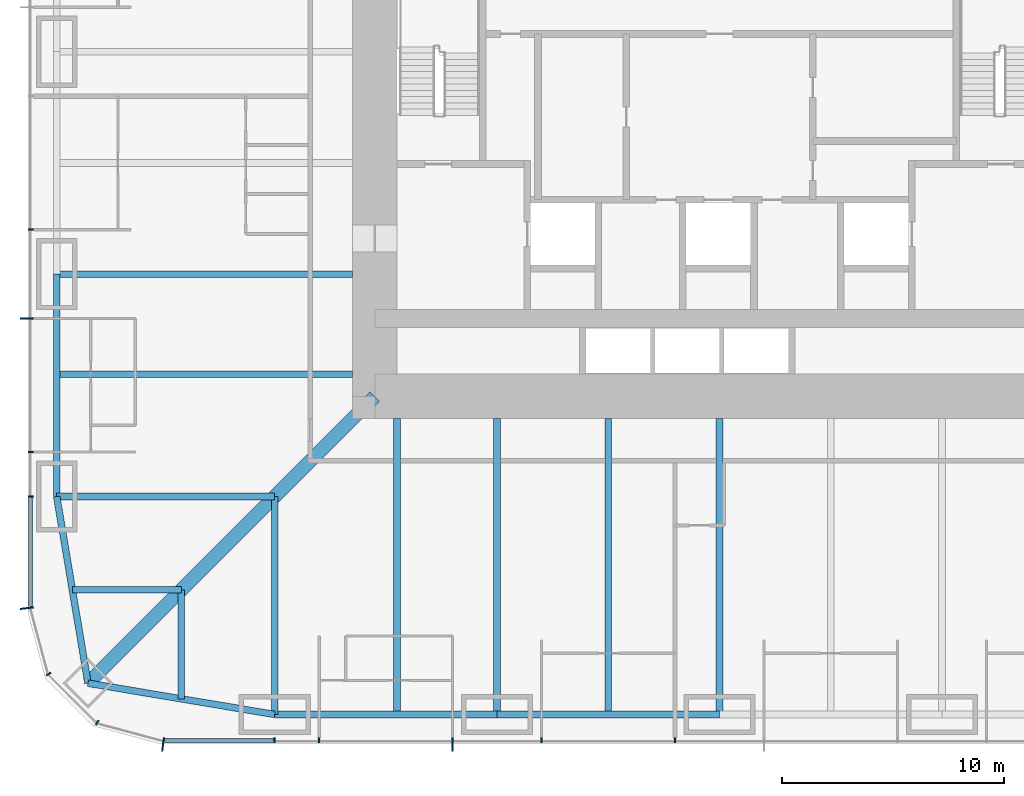
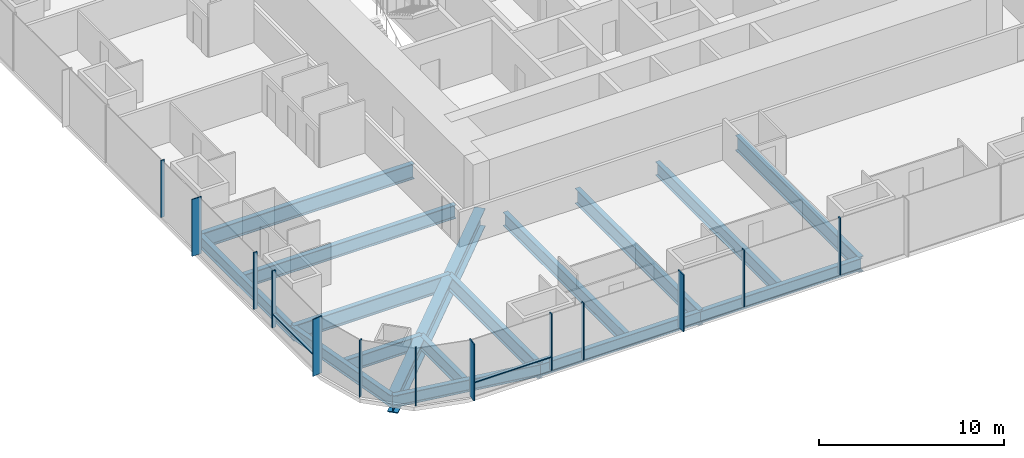
# One storey, part 2 of 17: 16 beams, 15 members, 3 elements without a shape of their own.
"""IFC4 building model written with IfcOpenShell, lengths in metres."""

from ifc_helpers import new_model, si_unit, direction, frame, origin, origin_2d, place, context, subcontext, project, spatial, rectangle, i_section, extrude, material, material_profile, profile_set, type_object, element, aggregate, save


model = new_model("IFC4")

# Units and contexts
model_context = context("Model", 3, precision=1e-05, world=origin(), true_north=direction((0.0, 1.0)))
body_context = subcontext(model_context, "Body", "Model", "MODEL_VIEW")
ifc_project = project(units=[si_unit("LENGTHUNIT", "METRE"), si_unit("AREAUNIT", "SQUARE_METRE"), si_unit("VOLUMEUNIT", "CUBIC_METRE"), si_unit("PLANEANGLEUNIT", "RADIAN"), si_unit("MASSUNIT", "GRAM", prefix="KILO")], contexts=[model_context])

# Site, building, storey
site_placement = place(None, origin())
site = spatial("IfcSite", under=ifc_project, at=site_placement, CompositionType="ELEMENT")
building_placement = place(site_placement, origin())
building = spatial("IfcBuilding", under=site, at=building_placement, Name="Khuree Lantern Residences", CompositionType="ELEMENT")
storey_placement = place(building_placement, frame((0.0, 0.0, 84.75)))
storey = spatial("IfcBuildingStorey", under=building, at=storey_placement, Name="L21", CompositionType="ELEMENT", Elevation=84.75)

# Beams
ifc_material_1 = material(Name="Steel S355", Category="steel")
ifc_material_profile_1 = material_profile(ifc_material_1, i_section(OverallWidth=0.300048828125, OverallDepth=0.889892578125, WebThickness=0.01611328125, FlangeThickness=0.030029296875, FilletRadius=0.030029296875, at=origin_2d()), Name="HE 900 A")
ifc_profile_set_1 = profile_set([ifc_material_profile_1], Name="Steel S355")
beam_type_1 = type_object("IfcBeamType", Name="B-15 SECONDARY BEAM HE 900 A", PredefinedType="BEAM", material=ifc_profile_set_1)
for number, where, z_axis, x_axis, name in (
    (1, (-5.0, -29.800048828125, -0.695068359375), (0.0, 1.0, 0.0), (-1.0, 0.0, 0.0), "Secondary beam S4"),
    (2, (-14.5, -29.800048828125, -0.695068359375), (0.0, 1.0, 0.0), (-1.0, 0.0, 0.0), "Secondary beam S5"),
):
    element("IfcBeam", number, at=place(storey_placement, frame(where, z_axis=z_axis, x_axis=x_axis)), inside=storey, type_object=beam_type_1, Name=name, PredefinedType="BEAM", context=body_context, shape_type="SweptSolid", body=[
        extrude(i_section(OverallWidth=0.300048828125, OverallDepth=0.889892578125, WebThickness=0.01611328125, FlangeThickness=0.030029296875, FilletRadius=0.030029296875, at=origin_2d()), origin(), (0.0, 0.0, 1.0), 13.300048828125),
    ])
for number, where, z_axis, x_axis, name in (
    (3, (-24.197021484375, -29.09716796875, -0.695068359375), (0.0, 1.0, 0.0), (-1.0, 0.0, 0.0), "Secondary beam S6"),
    (4, (-29.09716796875, -24.197021484375, -0.695068359375), (1.0, 0.0, 0.0), (0.0, 1.0, 0.0), "Secondary beam W1"),
):
    element("IfcBeam", number, at=place(storey_placement, frame(where, z_axis=z_axis, x_axis=x_axis)), inside=storey, type_object=beam_type_1, Name=name, PredefinedType="BEAM", context=body_context, shape_type="SweptSolid", body=[
        extrude(i_section(OverallWidth=0.300048828125, OverallDepth=0.889892578125, WebThickness=0.01611328125, FlangeThickness=0.030029296875, FilletRadius=0.030029296875, at=origin_2d()), origin(), (0.0, 0.0, 1.0), 4.900146484375),
    ])
beam_1_placement = place(storey_placement, frame((-29.800048828125, -14.5, -0.695068359375), z_axis=(1.0, 0.0, 0.0), x_axis=(0.0, 1.0, 0.0)))
element("IfcBeam", 5, at=beam_1_placement, inside=storey, type_object=beam_type_1, Name="Secondary beam W2", PredefinedType="BEAM", context=body_context, shape_type="SweptSolid", body=[
    extrude(i_section(OverallWidth=0.300048828125, OverallDepth=0.889892578125, WebThickness=0.01611328125, FlangeThickness=0.030029296875, FilletRadius=0.030029296875, at=origin_2d()), origin(), (0.0, 0.0, 1.0), 13.300048828125),
])
ifc_material_profile_2 = material_profile(ifc_material_1, i_section(OverallWidth=0.300048828125, OverallDepth=0.7900390625, WebThickness=0.014892578125, FlangeThickness=0.028076171875, FilletRadius=0.030029296875, at=origin_2d()), Name="HE 800 A")
ifc_profile_set_2 = profile_set([ifc_material_profile_2], Name="Steel S355")
beam_type_2 = type_object("IfcBeamType", Name="E-15 SPANDREL BEAM HE 800 A", PredefinedType="SPANDREL", material=ifc_profile_set_2)
for number, where, z_axis, x_axis, name in (
    (6, (0.0, -29.800048828125, -0.64501953125), (-1.0, 0.0, 0.0), (0.0, -1.0, 0.0), "Spandrel beam S4"),
    (7, (-10.0, -29.800048828125, -0.64501953125), (-1.0, 0.0, 0.0), (0.0, -1.0, 0.0), "Spandrel beam S5"),
):
    element("IfcBeam", number, at=place(storey_placement, frame(where, z_axis=z_axis, x_axis=x_axis)), inside=storey, type_object=beam_type_2, Name=name, PredefinedType="SPANDREL", context=body_context, shape_type="SweptSolid", body=[
        extrude(i_section(OverallWidth=0.300048828125, OverallDepth=0.7900390625, WebThickness=0.014892578125, FlangeThickness=0.028076171875, FilletRadius=0.030029296875, at=origin_2d()), origin(), (0.0, 0.0, 1.0), 10.0),
    ])
for number, where, z_axis, x_axis, name in (
    (8, (-20.0, -29.800048828125, -0.64501953125), (-0.986260251158, 0.165199022349, 0.0), (-0.165199022349, -0.986260251158, 0.0), "Spandrel beam S6"),
    (9, (-28.39404296875, -28.39404296875, -0.64501953125), (-0.165199022349, 0.986260251158, 0.0), (-0.986260251158, -0.165199022349, 0.0), "Spandrel beam W1"),
):
    element("IfcBeam", number, at=place(storey_placement, frame(where, z_axis=z_axis, x_axis=x_axis)), inside=storey, type_object=beam_type_2, Name=name, PredefinedType="SPANDREL", context=body_context, shape_type="SweptSolid", body=[
        extrude(i_section(OverallWidth=0.300048828125, OverallDepth=0.7900390625, WebThickness=0.014892578125, FlangeThickness=0.028076171875, FilletRadius=0.030029296875, at=origin_2d()), origin(), (0.0, 0.0, 1.0), 8.510986328125),
    ])
beam_2_placement = place(storey_placement, frame((-29.800048828125, -20.0, -0.64501953125), z_axis=(0.0, 1.0, 0.0), x_axis=(-1.0, 0.0, 0.0)))
element("IfcBeam", 10, at=beam_2_placement, inside=storey, type_object=beam_type_2, Name="Spandrel beam W2", PredefinedType="SPANDREL", context=body_context, shape_type="SweptSolid", body=[
    extrude(i_section(OverallWidth=0.300048828125, OverallDepth=0.7900390625, WebThickness=0.014892578125, FlangeThickness=0.028076171875, FilletRadius=0.030029296875, at=origin_2d()), origin(), (0.0, 0.0, 1.0), 10.0),
])

# Curtain wall, member
ifc_material_2 = material(Name="Bronze anodised aluminium", Category="aluminium")
curtain_wall_type_1 = type_object("IfcCurtainWallType", Name="CW-T1 TOWER FACE CURTAIN WALL", PredefinedType="USERDEFINED", material=ifc_material_2)
curtain_wall_1_placement = place(storey_placement, origin())
curtain_wall_1 = element("IfcCurtainWall", 11, at=curtain_wall_1_placement, inside=storey, type_object=curtain_wall_type_1, Name="L21 WEST FACE CURTAIN WALL", ObjectType="Stick-built curtain wall", PredefinedType="USERDEFINED")
ifc_material_profile_3 = material_profile(ifc_material_2, rectangle(XDim=0.06494140625, YDim=0.60009765625, at=origin_2d()), Name="F1 65X600")
ifc_profile_set_3 = profile_set([ifc_material_profile_3], Name="Bronze anodised aluminium")
member_type_1 = type_object("IfcMemberType", Name="F1 BRONZE FIN MULLION TOWER 65X600", PredefinedType="MULLION", material=ifc_profile_set_3)
member_1_placement = place(storey_placement, frame((-31.14990234375, -12.0, 0.0), z_axis=(0.0, 0.0, 1.0), x_axis=(0.0, -1.0, 0.0)))
member_1 = element("IfcMember", 12, at=member_1_placement, type_object=member_type_1, Name="L21 WEST FACE FIN MULLION 40", PredefinedType="MULLION", context=body_context, shape_type="SweptSolid", body=[
    extrude(rectangle(XDim=0.06494140625, YDim=0.60009765625, at=origin_2d()), origin(), (0.0, 0.0, 1.0), 3.75),
])

curtain_wall_type_2 = type_object("IfcCurtainWallType", Name="CW-T2 TOWER CORNER CURTAIN WALL", PredefinedType="USERDEFINED", material=ifc_material_2)
curtain_wall_2_placement = place(storey_placement, origin())
curtain_wall_2 = element("IfcCurtainWall", 13, at=curtain_wall_2_placement, inside=storey, type_object=curtain_wall_type_2, Name="L21 SOUTH-WEST CORNER CURTAIN WALL", ObjectType="Faceted corner curtain wall", PredefinedType="USERDEFINED")
member_2_placement = place(storey_placement, frame((-31.150146484375, -25.019775390625, 0.0), z_axis=(0.0, 0.0, 1.0), x_axis=(0.130526257387, -0.991444852794, 0.0)))
member_2 = element("IfcMember", 14, at=member_2_placement, type_object=member_type_1, Name="L21 SOUTH-WEST CORNER FIN MULLION 43", PredefinedType="MULLION", context=body_context, shape_type="SweptSolid", body=[
    extrude(rectangle(XDim=0.06494140625, YDim=0.60009765625, at=origin_2d()), origin(), (0.0, 0.0, 1.0), 3.75),
])

# Curtain wall, members
curtain_wall_3_placement = place(storey_placement, origin())
curtain_wall_3 = element("IfcCurtainWall", 15, at=curtain_wall_3_placement, inside=storey, type_object=curtain_wall_type_1, Name="L21 SOUTH FACE CURTAIN WALL", ObjectType="Stick-built curtain wall", PredefinedType="USERDEFINED")
member_3_placement = place(storey_placement, frame((-25.019775390625, -31.150146484375, 0.0), z_axis=(0.0, 0.0, 1.0), x_axis=(0.991444852794, -0.130526257387, 0.0)))
member_3 = element("IfcMember", 16, at=member_3_placement, type_object=member_type_1, Name="L21 SOUTH FACE FIN MULLION 46", PredefinedType="MULLION", context=body_context, shape_type="SweptSolid", body=[
    extrude(rectangle(XDim=0.06494140625, YDim=0.60009765625, at=origin_2d()), origin(), (0.0, 0.0, 1.0), 3.75),
])
member_4_placement = place(storey_placement, frame((-12.0, -31.14990234375, 0.0), z_axis=(0.0, 0.0, 1.0), x_axis=(1.0, 0.0, 0.0)))
member_4 = element("IfcMember", 17, at=member_4_placement, type_object=member_type_1, Name="L21 SOUTH FACE FIN MULLION 49", PredefinedType="MULLION", context=body_context, shape_type="SweptSolid", body=[
    extrude(rectangle(XDim=0.06494140625, YDim=0.60009765625, at=origin_2d()), origin(), (0.0, 0.0, 1.0), 3.75),
])

# Beams
ifc_material_profile_4 = material_profile(ifc_material_1, i_section(OverallWidth=0.302001953125, OverallDepth=1.008056640625, WebThickness=0.02099609375, FlangeThickness=0.0400390625, FilletRadius=0.030029296875, at=origin_2d()), Name="HE 1000 M")
ifc_profile_set_4 = profile_set([ifc_material_profile_4], Name="Steel S355")
beam_type_3 = type_object("IfcBeamType", Name="G-15 GIRDER HE 1000 M", PredefinedType="BEAM", material=ifc_profile_set_4)
for number, where, z_axis, x_axis, name in (
    (18, (0.0, -29.800048828125, -0.75390625), (0.0, 1.0, 0.0), (-1.0, 0.0, 0.0), "Girder S3"),
    (19, (-10.0, -29.800048828125, -0.75390625), (0.0, 1.0, 0.0), (-1.0, 0.0, 0.0), "Girder S4"),
):
    element("IfcBeam", number, at=place(storey_placement, frame(where, z_axis=z_axis, x_axis=x_axis)), inside=storey, type_object=beam_type_3, Name=name, PredefinedType="BEAM", context=body_context, shape_type="SweptSolid", body=[
        extrude(i_section(OverallWidth=0.302001953125, OverallDepth=1.008056640625, WebThickness=0.02099609375, FlangeThickness=0.0400390625, FilletRadius=0.030029296875, at=origin_2d()), origin(), (0.0, 0.0, 1.0), 13.300048828125),
    ])
for number, where, z_axis, x_axis, name in (
    (20, (-20.0, -29.800048828125, -0.75390625), (0.0, 1.0, 0.0), (-1.0, 0.0, 0.0), "Girder S5"),
    (21, (-29.800048828125, -20.0, -0.75390625), (1.0, 0.0, 0.0), (0.0, 1.0, 0.0), "Girder W1"),
):
    element("IfcBeam", number, at=place(storey_placement, frame(where, z_axis=z_axis, x_axis=x_axis)), inside=storey, type_object=beam_type_3, Name=name, PredefinedType="BEAM", context=body_context, shape_type="SweptSolid", body=[
        extrude(i_section(OverallWidth=0.302001953125, OverallDepth=1.008056640625, WebThickness=0.02099609375, FlangeThickness=0.0400390625, FilletRadius=0.030029296875, at=origin_2d()), origin(), (0.0, 0.0, 1.0), 9.800048828125),
    ])
beam_3_placement = place(storey_placement, frame((-29.800048828125, -10.0, -0.75390625), z_axis=(1.0, 0.0, 0.0), x_axis=(0.0, 1.0, 0.0)))
element("IfcBeam", 22, at=beam_3_placement, inside=storey, type_object=beam_type_3, Name="Girder W2", PredefinedType="BEAM", context=body_context, shape_type="SweptSolid", body=[
    extrude(i_section(OverallWidth=0.302001953125, OverallDepth=1.008056640625, WebThickness=0.02099609375, FlangeThickness=0.0400390625, FilletRadius=0.030029296875, at=origin_2d()), origin(), (0.0, 0.0, 1.0), 13.300048828125),
])
ifc_material_profile_5 = material_profile(ifc_material_1, i_section(OverallWidth=0.60009765625, OverallDepth=1.199951171875, WebThickness=0.030029296875, FlangeThickness=0.06005859375, at=origin_2d()), Name="WELDED I 1200X600X30X60")
ifc_profile_set_5 = profile_set([ifc_material_profile_5], Name="Steel S355")
beam_type_4 = type_object("IfcBeamType", Name="GD-15 CORNER GIRDER WELDED I 1200X600X30X60", PredefinedType="BEAM", material=ifc_profile_set_5)
beam_4_placement = place(storey_placement, frame((-28.39404296875, -28.39404296875, -0.85009765625), z_axis=(0.707106781187, 0.707106781187, 0.0), x_axis=(-0.707106781187, 0.707106781187, 0.0)))
element("IfcBeam", 23, at=beam_4_placement, inside=storey, type_object=beam_type_4, Name="Corner girder SW", PredefinedType="BEAM", context=body_context, shape_type="SweptSolid", body=[
    extrude(i_section(OverallWidth=0.60009765625, OverallDepth=1.199951171875, WebThickness=0.030029296875, FlangeThickness=0.06005859375, at=origin_2d()), origin(), (0.0, 0.0, 1.0), 18.23486328125),
])

# Member
ifc_material_profile_6 = material_profile(ifc_material_2, rectangle(XDim=0.06494140625, YDim=0.219970703125, at=origin_2d()), Name="M1 65X220")
ifc_profile_set_6 = profile_set([ifc_material_profile_6], Name="Bronze anodised aluminium")
member_type_2 = type_object("IfcMemberType", Name="M1 BRONZE MULLION TOWER 65X220", PredefinedType="MULLION", material=ifc_profile_set_6)
member_5_placement = place(storey_placement, frame((-30.9599609375, -8.0, 0.0), z_axis=(0.0, 0.0, 1.0), x_axis=(0.0, -1.0, 0.0)))
member_5 = element("IfcMember", 24, at=member_5_placement, type_object=member_type_2, Name="L21 WEST FACE MULLION 39", PredefinedType="MULLION", context=body_context, shape_type="SweptSolid", body=[
    extrude(rectangle(XDim=0.06494140625, YDim=0.219970703125, at=origin_2d()), origin(), (0.0, 0.0, 1.0), 3.75),
])

member_6_placement = place(storey_placement, frame((-30.9599609375, -18.0, 0.0), z_axis=(0.0, 0.0, 1.0), x_axis=(0.0, -1.0, 0.0)))
member_6 = element("IfcMember", 25, at=member_6_placement, type_object=member_type_2, Name="L21 WEST FACE MULLION 41", PredefinedType="MULLION", context=body_context, shape_type="SweptSolid", body=[
    extrude(rectangle(XDim=0.06494140625, YDim=0.219970703125, at=origin_2d()), origin(), (0.0, 0.0, 1.0), 3.75),
])

member_7_placement = place(storey_placement, frame((-30.9599609375, -20.0, 0.0), z_axis=(0.0, 0.0, 1.0), x_axis=(0.0, -1.0, 0.0)))
member_7 = element("IfcMember", 26, at=member_7_placement, type_object=member_type_2, Name="L21 WEST FACE MULLION 42", PredefinedType="MULLION", context=body_context, shape_type="SweptSolid", body=[
    extrude(rectangle(XDim=0.06494140625, YDim=0.219970703125, at=origin_2d()), origin(), (0.0, 0.0, 1.0), 3.75),
])

member_8_placement = place(storey_placement, frame((-30.16162109375, -27.97998046875, 0.0), z_axis=(0.0, 0.0, 1.0), x_axis=(0.500000056923, -0.86602537092, 0.0)))
member_8 = element("IfcMember", 27, at=member_8_placement, type_object=member_type_2, Name="L21 SOUTH-WEST CORNER MULLION 44", PredefinedType="MULLION", context=body_context, shape_type="SweptSolid", body=[
    extrude(rectangle(XDim=0.06494140625, YDim=0.219970703125, at=origin_2d()), origin(), (0.0, 0.0, 1.0), 3.75),
])

member_9_placement = place(storey_placement, frame((-27.97998046875, -30.16162109375, 0.0), z_axis=(0.0, 0.0, 1.0), x_axis=(0.86602537092, -0.500000056923, 0.0)))
member_9 = element("IfcMember", 28, at=member_9_placement, type_object=member_type_2, Name="L21 SOUTH-WEST CORNER MULLION 45", PredefinedType="MULLION", context=body_context, shape_type="SweptSolid", body=[
    extrude(rectangle(XDim=0.06494140625, YDim=0.219970703125, at=origin_2d()), origin(), (0.0, 0.0, 1.0), 3.75),
])

aggregate(curtain_wall_2, [member_2, member_8, member_9])

member_10_placement = place(storey_placement, frame((-20.0, -30.9599609375, 0.0), z_axis=(0.0, 0.0, 1.0), x_axis=(1.0, 0.0, 0.0)))
member_10 = element("IfcMember", 29, at=member_10_placement, type_object=member_type_2, Name="L21 SOUTH FACE MULLION 47", PredefinedType="MULLION", context=body_context, shape_type="SweptSolid", body=[
    extrude(rectangle(XDim=0.06494140625, YDim=0.219970703125, at=origin_2d()), origin(), (0.0, 0.0, 1.0), 3.75),
])

member_11_placement = place(storey_placement, frame((-18.0, -30.9599609375, 0.0), z_axis=(0.0, 0.0, 1.0), x_axis=(1.0, 0.0, 0.0)))
member_11 = element("IfcMember", 30, at=member_11_placement, type_object=member_type_2, Name="L21 SOUTH FACE MULLION 48", PredefinedType="MULLION", context=body_context, shape_type="SweptSolid", body=[
    extrude(rectangle(XDim=0.06494140625, YDim=0.219970703125, at=origin_2d()), origin(), (0.0, 0.0, 1.0), 3.75),
])

member_12_placement = place(storey_placement, frame((-8.0, -30.9599609375, 0.0), z_axis=(0.0, 0.0, 1.0), x_axis=(1.0, 0.0, 0.0)))
member_12 = element("IfcMember", 31, at=member_12_placement, type_object=member_type_2, Name="L21 SOUTH FACE MULLION 50", PredefinedType="MULLION", context=body_context, shape_type="SweptSolid", body=[
    extrude(rectangle(XDim=0.06494140625, YDim=0.219970703125, at=origin_2d()), origin(), (0.0, 0.0, 1.0), 3.75),
])

member_13_placement = place(storey_placement, frame((-2.0, -30.9599609375, 0.0), z_axis=(0.0, 0.0, 1.0), x_axis=(1.0, 0.0, 0.0)))
member_13 = element("IfcMember", 32, at=member_13_placement, type_object=member_type_2, Name="L21 SOUTH FACE MULLION 51", PredefinedType="MULLION", context=body_context, shape_type="SweptSolid", body=[
    extrude(rectangle(XDim=0.06494140625, YDim=0.219970703125, at=origin_2d()), origin(), (0.0, 0.0, 1.0), 3.75),
])

ifc_material_profile_7 = material_profile(ifc_material_2, rectangle(XDim=0.179931640625, YDim=0.06494140625, at=origin_2d()), Name="T1 180X65")
ifc_profile_set_7 = profile_set([ifc_material_profile_7], Name="Bronze anodised aluminium")
member_type_3 = type_object("IfcMemberType", Name="TRANSOM T1 TOWER 180X65", PredefinedType="USERDEFINED", material=ifc_profile_set_7)
member_14_placement = place(storey_placement, frame((-30.969970703125, -20.032470703125, 0.89990234375), z_axis=(0.0, -1.0, 0.0), x_axis=(1.0, 0.0, 0.0)))
member_14 = element("IfcMember", 33, at=member_14_placement, type_object=member_type_3, Name="L21 WEST FACE TRANSOM 42.1", ObjectType="Transom", PredefinedType="USERDEFINED", context=body_context, shape_type="SweptSolid", body=[
    extrude(rectangle(XDim=0.179931640625, YDim=0.06494140625, at=origin_2d()), origin(), (0.0, 0.0, 1.0), 4.9189453125),
])

aggregate(curtain_wall_1, [member_5, member_1, member_6, member_7, member_14])

member_15_placement = place(storey_placement, frame((-24.951416015625, -30.969970703125, 0.89990234375), z_axis=(1.0, 0.0, 0.0), x_axis=(0.0, 1.0, 0.0)))
member_15 = element("IfcMember", 34, at=member_15_placement, type_object=member_type_3, Name="L21 SOUTH FACE TRANSOM 46.1", ObjectType="Transom", PredefinedType="USERDEFINED", context=body_context, shape_type="SweptSolid", body=[
    extrude(rectangle(XDim=0.179931640625, YDim=0.06494140625, at=origin_2d()), origin(), (0.0, 0.0, 1.0), 4.9189453125),
])

aggregate(curtain_wall_3, [member_3, member_10, member_11, member_4, member_12, member_13, member_15])

save(model, "model.ifc")
